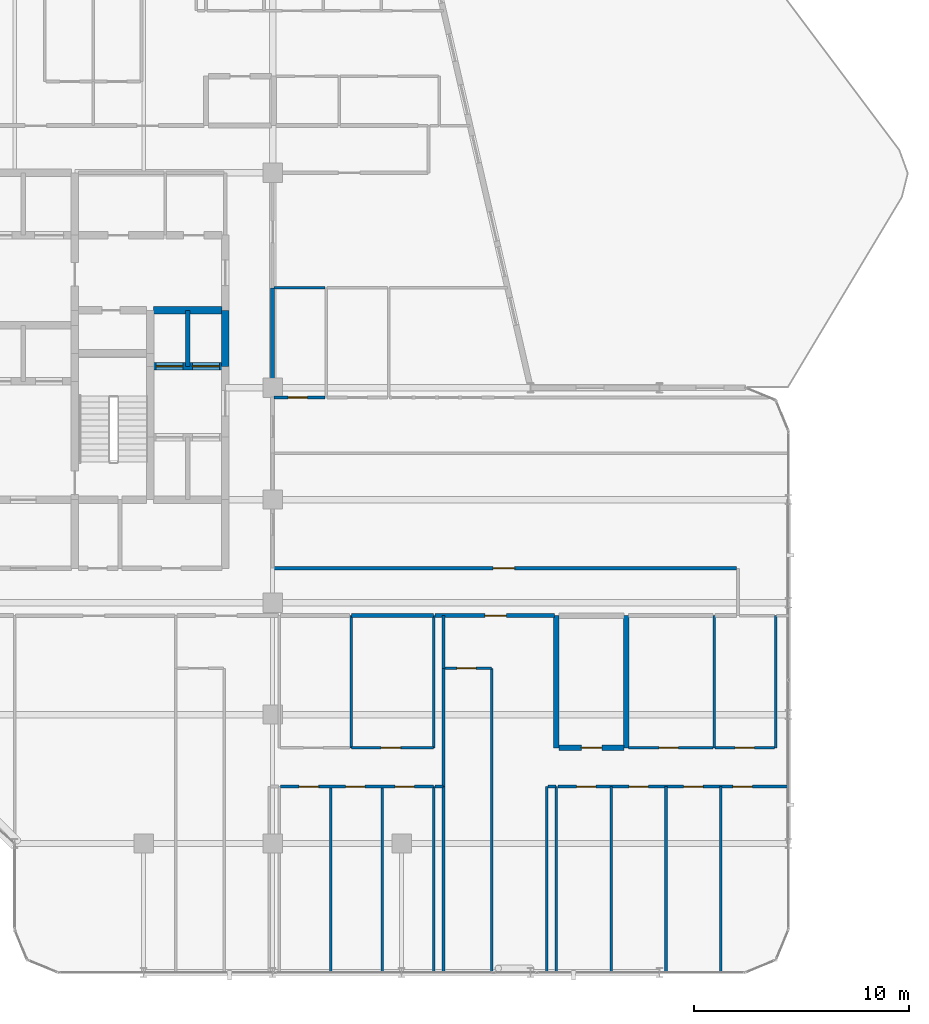
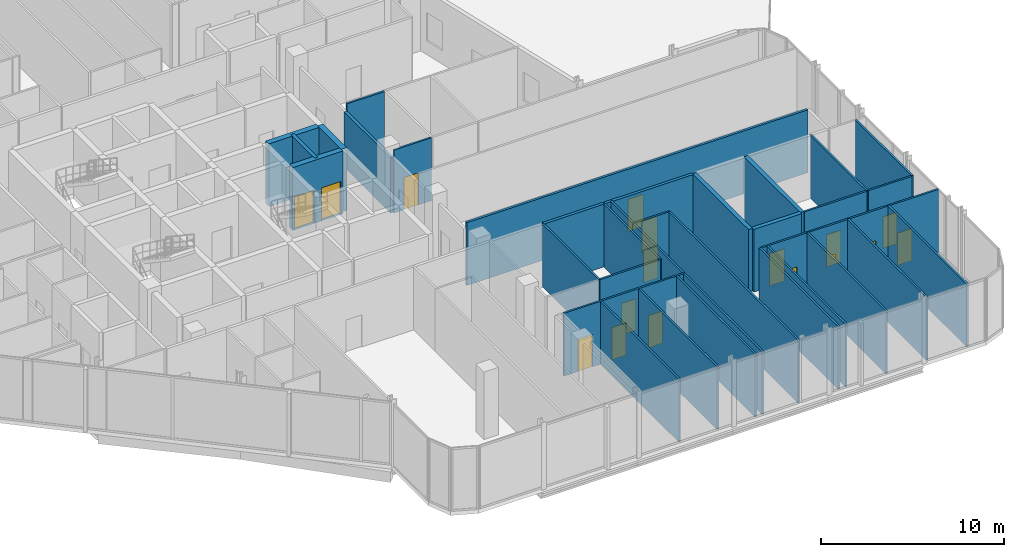
# One storey, part 23 of 28: 37 walls, 17 doors, 17 openings.
"""IFC4 building model written with IfcOpenShell, lengths in metres."""

import ifcopenshell
import ifcopenshell.guid

model = None  # the IFC model being written
_history = None  # IfcOwnerHistory: only IFC2X3 demands one
_inside = {}  # id of a spatial element -> (the spatial element, [elements in it])
_under = {}  # id of a project, library or spatial element -> (it, [spatial elements below it])
_declared = {}  # id of a project -> (the project, [libraries it declares])
_typed = {}  # id of a type object -> (the type object, [elements of that type])
_made_of = {}  # id of a material, layer set ... -> (it, [elements and type objects made of it])


def new_model(schema):
    """Start an empty IFC model of exactly this schema.

    Asked for "IFC4X3", IfcOpenShell would pick the latest addendum, in which some entities
    have other attributes; the version numbers below select the first issue.
    IFC2X3 requires an IfcOwnerHistory on every rooted entity: one is made here for all.
    """
    global model, _history
    if schema == "IFC4X3":
        model = ifcopenshell.file(schema_version=(4, 3, 0, 0))
    else:
        model = ifcopenshell.file(schema=schema)
    _inside.clear()
    _under.clear()
    _declared.clear()
    _typed.clear()
    _made_of.clear()
    _history = None
    if model.schema == "IFC2X3":
        org = make("IfcOrganization", Name="unknown")
        user = make(
            "IfcPersonAndOrganization",
            ThePerson=make("IfcPerson", FamilyName="unknown"),
            TheOrganization=org,
        )
        app = make(
            "IfcApplication",
            ApplicationDeveloper=org,
            Version="unknown",
            ApplicationFullName="unknown",
            ApplicationIdentifier="unknown",
        )
        _history = make(
            "IfcOwnerHistory",
            OwningUser=user,
            OwningApplication=app,
            ChangeAction="ADDED",
            CreationDate=0,
        )
    return model


def make(cls, **values):
    """One entity of the class cls with the attributes given. An attribute that is None is left unset."""
    return model.create_entity(
        cls, **{name: value for name, value in values.items() if value is not None}
    )


def rooted(cls, **values):
    """An entity with a GlobalId (a new one), such as an element, a storey or a relation."""
    return make(cls, GlobalId=ifcopenshell.guid.new(), OwnerHistory=_history, **values)


def si_unit(unit_type, name, prefix=None):
    """IfcSIUnit, for example si_unit("LENGTHUNIT", "METRE", prefix="MILLI")."""
    return make("IfcSIUnit", UnitType=unit_type, Prefix=prefix, Name=name)


def assignment(units):
    """IfcUnitAssignment: the units of a project."""
    return None if units is None else make("IfcUnitAssignment", Units=units)


def point(xyz):
    """IfcCartesianPoint."""
    return None if xyz is None else make("IfcCartesianPoint", Coordinates=xyz)


def direction(xyz):
    """IfcDirection."""
    return None if xyz is None else make("IfcDirection", DirectionRatios=xyz)


def frame(location, z_axis=None, x_axis=None):
    """IfcAxis2Placement3D, a coordinate frame: its origin and axes. An axis left out is left unset."""
    return make(
        "IfcAxis2Placement3D",
        Location=point(location),
        Axis=direction(z_axis),
        RefDirection=direction(x_axis),
    )


def frame_2d(location, x_axis=None):
    """IfcAxis2Placement2D, a coordinate frame in the plane: its origin and x axis."""
    return make(
        "IfcAxis2Placement2D", Location=point(location), RefDirection=direction(x_axis)
    )


def origin():
    """The frame at (0, 0, 0) with its axes left unset."""
    return frame((0.0, 0.0, 0.0))


def place(relative_to, where):
    """IfcLocalPlacement: puts the frame where relative to a parent placement (None: the world)."""
    return make(
        "IfcLocalPlacement", PlacementRelTo=relative_to, RelativePlacement=where
    )


def context(
    kind, dimensions, precision=None, world=None, true_north=None, identifier=None
):
    """IfcGeometricRepresentationContext, for example the 3D "Model" context."""
    return make(
        "IfcGeometricRepresentationContext",
        ContextIdentifier=identifier,
        ContextType=kind,
        CoordinateSpaceDimension=dimensions,
        Precision=precision,
        WorldCoordinateSystem=world,
        TrueNorth=true_north,
    )


def subcontext(parent, identifier, kind, view, scale=None):
    """IfcGeometricRepresentationSubContext, for example "Body" below "Model"."""
    return make(
        "IfcGeometricRepresentationSubContext",
        ContextIdentifier=identifier,
        ContextType=kind,
        ParentContext=parent,
        TargetScale=scale,
        TargetView=view,
    )


def project(units=None, contexts=None):
    """IfcProject with its units and contexts."""
    return rooted(
        "IfcProject",
        Name="project",
        RepresentationContexts=contexts,
        UnitsInContext=assignment(units),
    )


def spatial(cls, under=None, at=None, **own):
    """A site, building, storey or space (cls), placed at a placement, below another one or the project."""
    s = rooted(cls, ObjectPlacement=at, **own)
    if under is not None:
        _under.setdefault(under.id(), (under, []))[1].append(s)
    return s


def profile(cls, at=None, kind="AREA", **sizes):
    """A parametric profile (cls). Its sizes go by their IFC names, for example OverallWidth=200.0."""
    return make(cls, ProfileType=kind, Position=at, **sizes)


def rectangle(**sizes):
    """IfcRectangleProfileDef."""
    return profile("IfcRectangleProfileDef", **sizes)


def extrude(swept, where, along, depth):
    """IfcExtrudedAreaSolid: the profile swept, set in the frame where, extruded along a direction by depth."""
    return make(
        "IfcExtrudedAreaSolid",
        SweptArea=swept,
        Position=where,
        ExtrudedDirection=direction(along),
        Depth=depth,
    )


def shape(context_of_items, identifier, shape_type, items):
    """IfcShapeRepresentation: the items that make up one representation, for example the "Body"."""
    return make(
        "IfcShapeRepresentation",
        ContextOfItems=context_of_items,
        RepresentationIdentifier=identifier,
        RepresentationType=shape_type,
        Items=items,
    )


def material(Name=None, Category=None):
    """IfcMaterial."""
    return make("IfcMaterial", Name=Name, Category=Category)


def layer(
    of_material, thickness, ventilated=None, Name=None, Category=None, Priority=None
):
    """IfcMaterialLayer: one layer of a wall or slab, of a material (None: an air gap)."""
    return make(
        "IfcMaterialLayer",
        Material=of_material,
        LayerThickness=thickness,
        IsVentilated=ventilated,
        Name=Name,
        Category=Category,
        Priority=Priority,
    )


def layer_set(layers, Name=None):
    """IfcMaterialLayerSet."""
    return make("IfcMaterialLayerSet", MaterialLayers=layers, LayerSetName=Name)


def made_of(thing, what):
    """Note that an element or type object is made of a material, layer set ...; save() writes the relation."""
    if what is not None:
        _made_of.setdefault(what.id(), (what, []))[1].append(thing)
    return thing


def type_object(cls, material=None, **own):
    """A type object (cls), such as IfcWallType, which elements share."""
    return made_of(rooted(cls, **own), material)


def element(
    cls,
    number,
    at=None,
    inside=None,
    cuts=None,
    type_object=None,
    material=None,
    context=None,
    identifier="Body",
    shape_type=None,
    held_by="IfcProductDefinitionShape",
    body=None,
    shapes=None,
    **own,
):
    """One element of the class cls, such as IfcWall. Its Tag is "e" and its number.

    at: its placement. inside: the storey or other place that contains it. cuts: it is an
    opening in that element (IfcRelVoidsElement). A single representation is given by context,
    identifier, shape_type and body (its items); several are given by shapes. held_by: the class
    of the entity that holds the representations. save() writes the other relations.
    """
    e = rooted(cls, Tag="e%d" % number, ObjectPlacement=at, **own)
    if body is not None:
        shapes = [shape(context, identifier, shape_type, body)]
    if shapes is not None:
        e.Representation = make(held_by, Representations=shapes)
    if inside is not None:
        _inside.setdefault(inside.id(), (inside, []))[1].append(e)
    if cuts is not None:
        rooted(
            "IfcRelVoidsElement", RelatingBuildingElement=cuts, RelatedOpeningElement=e
        )
    if type_object is not None:
        _typed.setdefault(type_object.id(), (type_object, []))[1].append(e)
    return made_of(e, material)


def fill(opening, filler):
    """IfcRelFillsElement: the door or window that sits in an opening."""
    return rooted(
        "IfcRelFillsElement",
        RelatingOpeningElement=opening,
        RelatedBuildingElement=filler,
    )


def aggregate(whole, parts):
    """IfcRelAggregates: a whole, such as a stair, and the parts it consists of."""
    return rooted("IfcRelAggregates", RelatingObject=whole, RelatedObjects=parts)


def save(model, path):
    """Write the relations noted so far, then the file.

    IfcRelAggregates (storeys below a building ...), IfcRelContainedInSpatialStructure (elements
    in a storey), IfcRelDefinesByType, IfcRelAssociatesMaterial and IfcRelDeclares: one each for
    every whole, place, type object, material and project.
    """
    for whole, parts in _under.values():
        aggregate(whole, parts)
    for where, things in _inside.values():
        rooted(
            "IfcRelContainedInSpatialStructure",
            RelatedElements=things,
            RelatingStructure=where,
        )
    for kind, things in _typed.values():
        rooted("IfcRelDefinesByType", RelatedObjects=things, RelatingType=kind)
    for what, things in _made_of.values():
        rooted("IfcRelAssociatesMaterial", RelatedObjects=things, RelatingMaterial=what)
    for by, libraries in _declared.values():
        rooted("IfcRelDeclares", RelatingContext=by, RelatedDefinitions=libraries)
    model.write(path)


model = new_model("IFC4")

# Units and contexts
model_context = context("Model", 3, precision=1e-05, world=origin(), true_north=direction((0.0, 1.0)))
body_context = subcontext(model_context, "Body", "Model", "MODEL_VIEW")
ifc_project = project(units=[si_unit("LENGTHUNIT", "METRE"), si_unit("AREAUNIT", "SQUARE_METRE"), si_unit("VOLUMEUNIT", "CUBIC_METRE"), si_unit("PLANEANGLEUNIT", "RADIAN"), si_unit("MASSUNIT", "GRAM", prefix="KILO")], contexts=[model_context])

# Site, building, storey
site_placement = place(None, origin())
site = spatial("IfcSite", under=ifc_project, at=site_placement, CompositionType="ELEMENT")
building_placement = place(site_placement, origin())
building = spatial("IfcBuilding", under=site, at=building_placement, Name="Keshet Zoharim Tower", CompositionType="ELEMENT")
storey_placement = place(building_placement, frame((0.0, 0.0, 164.60009765625)))
storey = spatial("IfcBuildingStorey", under=building, at=storey_placement, Name="L40", CompositionType="ELEMENT", Elevation=164.60009765625)

# Wall, opening, door
ifc_material_1 = material(Name="Gypsum Plasterboard", Category="gypsum")
ifc_layer_1 = layer(ifc_material_1, 0.14990234375)
ifc_layer_set_1 = layer_set([ifc_layer_1], Name="Gypsum Plasterboard")
wall_type_1 = type_object("IfcWallType", Name="WL-CLIN-150", PredefinedType="STANDARD", material=ifc_layer_set_1)
wall_1_placement = place(storey_placement, frame((33.070068359375, 19.5, 0.0), z_axis=(0.0, 0.0, 1.0), x_axis=(1.0, 0.0, 0.0)))
wall_1 = element("IfcWall", 1, at=wall_1_placement, inside=storey, type_object=wall_type_1, Name="L40 Interior Wall 134", PredefinedType="STANDARD", context=body_context, shape_type="SweptSolid", body=[
    extrude(rectangle(XDim=21.510009765625, YDim=0.14990234375, at=frame_2d((10.7548828125, 0.0))), origin(), (0.0, 0.0, 1.0), 4.18994140625),
])
opening_1_placement = place(wall_1_placement, frame((10.18505859375, 0.0, 0.0)))
opening_1 = element("IfcOpeningElement", 2, at=opening_1_placement, cuts=wall_1, Name="Opening D-F310", PredefinedType="OPENING", context=body_context, shape_type="SweptSolid", body=[
    extrude(rectangle(XDim=1.0, YDim=2.14990234375, at=frame_2d((0.5, 1.074951171875))), frame((0.0, 0.0849609375, 0.0), z_axis=(0.0, -1.0, 0.0), x_axis=(1.0, 0.0, 0.0)), (0.0, 0.0, 1.0), 0.169921875),
])
ifc_material_2 = material(Name="Hardwood Timber", Category="wood")
door_type_1 = type_object("IfcDoorType", Name="DR-FD30-100", OperationType="NOTDEFINED", PredefinedType="DOOR", material=ifc_material_2)
door_1_placement = place(opening_1_placement, origin())
door_1 = element("IfcDoor", 3, at=door_1_placement, inside=storey, type_object=door_type_1, Name="L40 South East Residents Services Suite Door 1", OperationType="SINGLE_SWING_RIGHT", OverallHeight=2.14990234375, OverallWidth=1.0, PredefinedType="DOOR", context=body_context, shape_type="SweptSolid", body=[
    extrude(rectangle(XDim=1.0, YDim=2.14990234375, at=frame_2d((0.5, 1.074951171875))), frame((0.0, 0.02490234375, 0.0), z_axis=(0.0, -1.0, 0.0), x_axis=(1.0, 0.0, 0.0)), (0.0, 0.0, 1.0), 0.050048828125),
])
fill(opening_1, door_1)

# Wall
ifc_material_3 = material(Name="Concrete C60/75", Category="concrete")
ifc_layer_2 = layer(ifc_material_3, 0.35009765625)
ifc_layer_set_2 = layer_set([ifc_layer_2], Name="Concrete C60/75")
wall_type_2 = type_object("IfcWallType", Name="WL-CORE-350", PredefinedType="SHEAR", material=ifc_layer_set_2)
wall_2_placement = place(storey_placement, frame((30.800048828125, 28.89990234375, 0.0), z_axis=(0.0, 0.0, 1.0), x_axis=(0.0, 1.0, 0.0)))
element("IfcWall", 4, at=wall_2_placement, inside=storey, type_object=wall_type_2, Name="L40 Core Shear Wall 064", PredefinedType="SHEAR", context=body_context, shape_type="SweptSolid", body=[
    extrude(rectangle(XDim=2.60009765625, YDim=0.35009765625, at=frame_2d((1.300048828125, 0.0))), origin(), (0.0, 0.0, 1.0), 4.18994140625),
])

# Wall, openings, doors
wall_3_placement = place(storey_placement, frame((27.4599609375, 28.89990234375, 0.0), z_axis=(0.0, 0.0, 1.0), x_axis=(1.0, 0.0, 0.0)))
wall_3 = element("IfcWall", 5, at=wall_3_placement, inside=storey, type_object=wall_type_2, Name="L40 Core Shear Wall 157", PredefinedType="SHEAR", context=body_context, shape_type="SweptSolid", body=[
    extrude(rectangle(XDim=3.179931640625, YDim=0.35009765625, at=frame_2d((1.58984375, 0.0))), origin(), (0.0, 0.0, 1.0), 4.18994140625),
])
opening_2_placement = place(wall_3_placement, frame((0.1201171875, 0.0, 0.0)))
opening_2 = element("IfcOpeningElement", 6, at=opening_2_placement, cuts=wall_3, Name="Opening LD-01", PredefinedType="OPENING", context=body_context, shape_type="SweptSolid", body=[
    extrude(rectangle(XDim=1.25, YDim=2.199951171875, at=frame_2d((0.625, 1.10009765625))), frame((0.0, 0.18505859375, 0.0), z_axis=(0.0, -1.0, 0.0), x_axis=(1.0, 0.0, 0.0)), (0.0, 0.0, 1.0), 0.3701171875),
])
opening_3_placement = place(wall_3_placement, frame((1.81005859375, 0.0, 0.0)))
opening_3 = element("IfcOpeningElement", 7, at=opening_3_placement, cuts=wall_3, Name="Opening LD-01", PredefinedType="OPENING", context=body_context, shape_type="SweptSolid", body=[
    extrude(rectangle(XDim=1.25, YDim=2.199951171875, at=frame_2d((0.625, 1.10009765625))), frame((0.0, 0.18505859375, 0.0), z_axis=(0.0, -1.0, 0.0), x_axis=(1.0, 0.0, 0.0)), (0.0, 0.0, 1.0), 0.3701171875),
])
ifc_material_4 = material(Name="Steel S355", Category="steel")
door_type_2 = type_object("IfcDoorType", Name="DR-LD01-125", OperationType="DOUBLE_DOOR_SLIDING", PredefinedType="DOOR", material=ifc_material_4)
door_2_placement = place(opening_2_placement, origin())
door_2 = element("IfcDoor", 8, at=door_2_placement, inside=storey, type_object=door_type_2, Name="L40 Passenger Lift Landing Door LF-05", OperationType="DOUBLE_DOOR_SLIDING", OverallHeight=2.199951171875, OverallWidth=1.25, PredefinedType="DOOR", context=body_context, shape_type="SweptSolid", body=[
    extrude(rectangle(XDim=1.25, YDim=2.199951171875, at=frame_2d((0.625, 1.10009765625))), frame((0.0, 0.02490234375, 0.0), z_axis=(0.0, -1.0, 0.0), x_axis=(1.0, 0.0, 0.0)), (0.0, 0.0, 1.0), 0.050048828125),
])
fill(opening_2, door_2)
door_3_placement = place(opening_3_placement, origin())
door_3 = element("IfcDoor", 9, at=door_3_placement, inside=storey, type_object=door_type_2, Name="L40 Passenger Lift Landing Door LF-06", OperationType="DOUBLE_DOOR_SLIDING", OverallHeight=2.199951171875, OverallWidth=1.25, PredefinedType="DOOR", context=body_context, shape_type="SweptSolid", body=[
    extrude(rectangle(XDim=1.25, YDim=2.199951171875, at=frame_2d((0.625, 1.10009765625))), frame((0.0, 0.02490234375, 0.0), z_axis=(0.0, -1.0, 0.0), x_axis=(1.0, 0.0, 0.0)), (0.0, 0.0, 1.0), 0.050048828125),
])
fill(opening_3, door_3)

# Walls
wall_4_placement = place(storey_placement, frame((27.4599609375, 31.5, 0.0), z_axis=(0.0, 0.0, 1.0), x_axis=(1.0, 0.0, 0.0)))
element("IfcWall", 10, at=wall_4_placement, inside=storey, type_object=wall_type_2, Name="L40 Core Shear Wall 165", PredefinedType="SHEAR", context=body_context, shape_type="SweptSolid", body=[
    extrude(rectangle(XDim=3.179931640625, YDim=0.35009765625, at=frame_2d((1.58984375, 0.0))), origin(), (0.0, 0.0, 1.0), 4.18994140625),
])
ifc_layer_3 = layer(ifc_material_1, 0.179931640625)
ifc_layer_set_3 = layer_set([ifc_layer_3], Name="Gypsum Plasterboard")
wall_type_3 = type_object("IfcWallType", Name="WL-CORR-180", PredefinedType="STANDARD", material=ifc_layer_set_3)
wall_5_placement = place(storey_placement, frame((33.0, 27.469970703125, 0.0), z_axis=(0.0, 0.0, 1.0), x_axis=(0.0, 1.0, 0.0)))
element("IfcWall", 11, at=wall_5_placement, inside=storey, type_object=wall_type_3, Name="L40 Interior Wall 071", PredefinedType="STANDARD", context=body_context, shape_type="SweptSolid", body=[
    extrude(rectangle(XDim=5.070068359375, YDim=0.179931640625, at=frame_2d((2.53515625, 0.0))), origin(), (0.0, 0.0, 1.0), 3.68994140625),
])
wall_6_placement = place(storey_placement, frame((36.672119140625, 17.300048828125, 0.0), z_axis=(0.0, 0.0, 1.0), x_axis=(1.0, 0.0, 0.0)))
element("IfcWall", 12, at=wall_6_placement, inside=storey, type_object=wall_type_3, Name="L40 Interior Wall 123", PredefinedType="STANDARD", context=body_context, shape_type="SweptSolid", body=[
    extrude(rectangle(XDim=3.802978515625, YDim=0.179931640625, at=frame_2d((1.9013671875, 0.0))), origin(), (0.0, 0.0, 1.0), 4.18994140625),
])

# Wall, opening, door
wall_7_placement = place(storey_placement, frame((40.56494140625, 17.300048828125, 0.0), z_axis=(0.0, 0.0, 1.0), x_axis=(1.0, 0.0, 0.0)))
wall_7 = element("IfcWall", 13, at=wall_7_placement, inside=storey, type_object=wall_type_3, Name="L40 Interior Wall 124", PredefinedType="STANDARD", context=body_context, shape_type="SweptSolid", body=[
    extrude(rectangle(XDim=5.545166015625, YDim=0.179931640625, at=frame_2d((2.7724609375, 0.0))), origin(), (0.0, 0.0, 1.0), 4.18994140625),
])
opening_4_placement = place(wall_7_placement, frame((2.304931640625, 0.0, 0.0)))
opening_4 = element("IfcOpeningElement", 14, at=opening_4_placement, cuts=wall_7, Name="Opening D-F310", PredefinedType="OPENING", context=body_context, shape_type="SweptSolid", body=[
    extrude(rectangle(XDim=1.0, YDim=2.14990234375, at=frame_2d((0.5, 1.074951171875))), frame((0.0, 0.10009765625, 0.0), z_axis=(0.0, -1.0, 0.0), x_axis=(1.0, 0.0, 0.0)), (0.0, 0.0, 1.0), 0.199951171875),
])
door_4_placement = place(opening_4_placement, origin())
door_4 = element("IfcDoor", 15, at=door_4_placement, inside=storey, type_object=door_type_1, Name="Apartment 4003 Entrance Door", OperationType="SINGLE_SWING_LEFT", OverallHeight=2.14990234375, OverallWidth=1.0, PredefinedType="DOOR", context=body_context, shape_type="SweptSolid", body=[
    extrude(rectangle(XDim=1.0, YDim=2.14990234375, at=frame_2d((0.5, 1.074951171875))), frame((0.0, 0.02490234375, 0.0), z_axis=(0.0, -1.0, 0.0), x_axis=(1.0, 0.0, 0.0)), (0.0, 0.0, 1.0), 0.050048828125),
])
fill(opening_4, door_4)

# Walls
ifc_material_5 = material(Name="Concrete C50/60", Category="concrete")
ifc_layer_4 = layer(ifc_material_5, 0.199951171875)
ifc_layer_set_4 = layer_set([ifc_layer_4], Name="Concrete C50/60")
wall_type_4 = type_object("IfcWallType", Name="WL-FIRE-200", PredefinedType="STANDARD", material=ifc_layer_set_4)
wall_8_placement = place(storey_placement, frame((29.050048828125, 28.89990234375, 0.0), z_axis=(0.0, 0.0, 1.0), x_axis=(0.0, 1.0, 0.0)))
element("IfcWall", 16, at=wall_8_placement, inside=storey, type_object=wall_type_4, Name="L40 Interior Wall 056", PredefinedType="STANDARD", context=body_context, shape_type="SweptSolid", body=[
    extrude(rectangle(XDim=2.60009765625, YDim=0.199951171875, at=frame_2d((1.300048828125, 0.0))), origin(), (0.0, 0.0, 1.0), 4.18994140625),
])
ifc_layer_5 = layer(ifc_material_5, 0.25)
ifc_layer_set_5 = layer_set([ifc_layer_5], Name="Concrete C50/60")
wall_type_5 = type_object("IfcWallType", Name="WL-MAMAD-250", PredefinedType="STANDARD", material=ifc_layer_set_5)
for number, where, z_axis, x_axis, name in (
    (17, (46.199951171875, 11.14990234375, 0.0), (0.0, 0.0, 1.0), (0.0, 1.0, 0.0), "L40 Interior Wall 094"),
    (18, (49.449951171875, 11.14990234375, 0.0), (0.0, 0.0, 1.0), (0.0, 1.0, 0.0), "L40 Interior Wall 096"),
):
    element("IfcWall", number, at=place(storey_placement, frame(where, z_axis=z_axis, x_axis=x_axis)), inside=storey, type_object=wall_type_5, Name=name, PredefinedType="STANDARD", context=body_context, shape_type="SweptSolid", body=[
        extrude(rectangle(XDim=6.150146484375, YDim=0.25, at=frame_2d((3.0751953125, 0.0))), origin(), (0.0, 0.0, 1.0), 4.18994140625),
    ])

# Wall, opening, door
wall_9_placement = place(storey_placement, frame((46.330078125, 11.14990234375, 0.0), z_axis=(0.0, 0.0, 1.0), x_axis=(1.0, 0.0, 0.0)))
wall_9 = element("IfcWall", 19, at=wall_9_placement, inside=storey, type_object=wall_type_5, Name="L40 Interior Wall 109", PredefinedType="STANDARD", context=body_context, shape_type="SweptSolid", body=[
    extrude(rectangle(XDim=3.013916015625, YDim=0.25, at=frame_2d((1.5068359375, 0.0))), origin(), (0.0, 0.0, 1.0), 4.18994140625),
])
opening_5_placement = place(wall_9_placement, frame((1.031982421875, 0.0, 0.0)))
opening_5 = element("IfcOpeningElement", 20, at=opening_5_placement, cuts=wall_9, Name="Opening D-F695", PredefinedType="OPENING", context=body_context, shape_type="SweptSolid", body=[
    extrude(rectangle(XDim=0.949951171875, YDim=2.14990234375, at=frame_2d((0.47509765625, 1.074951171875))), frame((0.0, 0.135009765625, 0.0), z_axis=(0.0, -1.0, 0.0), x_axis=(1.0, 0.0, 0.0)), (0.0, 0.0, 1.0), 0.27001953125),
])
door_type_3 = type_object("IfcDoorType", Name="DR-FD60-095", OperationType="NOTDEFINED", PredefinedType="DOOR", material=ifc_material_2)
door_5_placement = place(opening_5_placement, origin())
door_5 = element("IfcDoor", 21, at=door_5_placement, inside=storey, type_object=door_type_3, Name="Apartment 4003 Study and Shelter Room Door", OperationType="SINGLE_SWING_LEFT", OverallHeight=2.14990234375, OverallWidth=0.949951171875, PredefinedType="DOOR", context=body_context, shape_type="SweptSolid", body=[
    extrude(rectangle(XDim=0.949951171875, YDim=2.14990234375, at=frame_2d((0.47509765625, 1.074951171875))), frame((0.0, 0.02490234375, 0.0), z_axis=(0.0, -1.0, 0.0), x_axis=(1.0, 0.0, 0.0)), (0.0, 0.0, 1.0), 0.050048828125),
])
fill(opening_5, door_5)

# Walls
ifc_layer_6 = layer(ifc_material_1, 0.1201171875)
ifc_layer_set_6 = layer_set([ifc_layer_6], Name="Gypsum Plasterboard")
wall_type_6 = type_object("IfcWallType", Name="WL-PART-120", PredefinedType="PARTITIONING", material=ifc_layer_set_6)
for number, where, z_axis, x_axis, name in (
    (22, (35.699951171875, 0.7099609375, 0.0), (0.0, 0.0, 1.0), (0.0, 1.0, 0.0), "L40 Interior Wall 078"),
    (23, (38.10009765625, 0.7099609375, 0.0), (0.0, 0.0, 1.0), (0.0, 1.0, 0.0), "L40 Interior Wall 082"),
    (24, (40.5, 0.7099609375, 0.0), (0.0, 0.0, 1.0), (0.0, 1.0, 0.0), "L40 Interior Wall 085"),
    (25, (40.949951171875, 0.7099609375, 0.0), (0.0, 0.0, 1.0), (0.0, 1.0, 0.0), "L40 Interior Wall 088"),
):
    element("IfcWall", number, at=place(storey_placement, frame(where, z_axis=z_axis, x_axis=x_axis)), inside=storey, type_object=wall_type_6, Name=name, PredefinedType="PARTITIONING", context=body_context, shape_type="SweptSolid", body=[
        extrude(rectangle(XDim=8.64013671875, YDim=0.1201171875, at=frame_2d((4.320068359375, 0.0))), origin(), (0.0, 0.0, 1.0), 4.18994140625),
    ])
wall_10_placement = place(storey_placement, frame((40.949951171875, 9.35009765625, 0.0), z_axis=(0.0, 0.0, 1.0), x_axis=(0.0, 1.0, 0.0)))
element("IfcWall", 26, at=wall_10_placement, inside=storey, type_object=wall_type_6, Name="L40 Interior Wall 089", PredefinedType="PARTITIONING", context=body_context, shape_type="SweptSolid", body=[
    extrude(rectangle(XDim=5.5, YDim=0.1201171875, at=frame_2d((2.75, 0.0))), origin(), (0.0, 0.0, 1.0), 4.18994140625),
])
wall_11_placement = place(storey_placement, frame((40.949951171875, 14.85009765625, 0.0), z_axis=(0.0, 0.0, 1.0), x_axis=(0.0, 1.0, 0.0)))
element("IfcWall", 27, at=wall_11_placement, inside=storey, type_object=wall_type_6, Name="L40 Interior Wall 090", PredefinedType="PARTITIONING", context=body_context, shape_type="SweptSolid", body=[
    extrude(rectangle(XDim=2.449951171875, YDim=0.1201171875, at=frame_2d((1.22509765625, 0.0))), origin(), (0.0, 0.0, 1.0), 4.18994140625),
])
wall_12_placement = place(storey_placement, frame((43.199951171875, 0.7099609375, 0.0), z_axis=(0.0, 0.0, 1.0), x_axis=(0.0, 1.0, 0.0)))
element("IfcWall", 28, at=wall_12_placement, inside=storey, type_object=wall_type_6, Name="L40 Interior Wall 091", PredefinedType="PARTITIONING", context=body_context, shape_type="SweptSolid", body=[
    extrude(rectangle(XDim=14.14013671875, YDim=0.1201171875, at=frame_2d((7.070068359375, 0.0))), origin(), (0.0, 0.0, 1.0), 4.18994140625),
])
for number, where, z_axis, x_axis, name in (
    (29, (45.75, 0.7099609375, 0.0), (0.0, 0.0, 1.0), (0.0, 1.0, 0.0), "L40 Interior Wall 092"),
    (30, (46.199951171875, 0.7099609375, 0.0), (0.0, 0.0, 1.0), (0.0, 1.0, 0.0), "L40 Interior Wall 093"),
    (31, (48.75, 0.7099609375, 0.0), (0.0, 0.0, 1.0), (0.0, 1.0, 0.0), "L40 Interior Wall 095"),
    (32, (51.300048828125, 0.7099609375, 0.0), (0.0, 0.0, 1.0), (0.0, 1.0, 0.0), "L40 Interior Wall 097"),
    (33, (53.85009765625, 0.7099609375, 0.0), (0.0, 0.0, 1.0), (0.0, 1.0, 0.0), "L40 Interior Wall 099"),
):
    element("IfcWall", number, at=place(storey_placement, frame(where, z_axis=z_axis, x_axis=x_axis)), inside=storey, type_object=wall_type_6, Name=name, PredefinedType="PARTITIONING", context=body_context, shape_type="SweptSolid", body=[
        extrude(rectangle(XDim=8.64013671875, YDim=0.1201171875, at=frame_2d((4.320068359375, 0.0))), origin(), (0.0, 0.0, 1.0), 4.18994140625),
    ])

# Wall, openings, doors
wall_13_placement = place(storey_placement, frame((33.35498046875, 9.35009765625, 0.0), z_axis=(0.0, 0.0, 1.0), x_axis=(1.0, 0.0, 0.0)))
wall_13 = element("IfcWall", 34, at=wall_13_placement, inside=storey, type_object=wall_type_6, Name="L40 Interior Wall 103", PredefinedType="PARTITIONING", context=body_context, shape_type="SweptSolid", body=[
    extrude(rectangle(XDim=7.1201171875, YDim=0.1201171875, at=frame_2d((3.56005859375, 0.0))), origin(), (0.0, 0.0, 1.0), 4.18994140625),
])
opening_6_placement = place(wall_13_placement, frame((0.882080078125, 0.0, 0.0)))
opening_6 = element("IfcOpeningElement", 35, at=opening_6_placement, cuts=wall_13, Name="Opening D-IN90", PredefinedType="OPENING", context=body_context, shape_type="SweptSolid", body=[
    extrude(rectangle(XDim=0.89990234375, YDim=2.14990234375, at=frame_2d((0.449951171875, 1.074951171875))), frame((0.0, 0.070068359375, 0.0), z_axis=(0.0, -1.0, 0.0), x_axis=(1.0, 0.0, 0.0)), (0.0, 0.0, 1.0), 0.14013671875),
])
opening_7_placement = place(wall_13_placement, frame((3.0380859375, 0.0, 0.0)))
opening_7 = element("IfcOpeningElement", 36, at=opening_7_placement, cuts=wall_13, Name="Opening D-IN90", PredefinedType="OPENING", context=body_context, shape_type="SweptSolid", body=[
    extrude(rectangle(XDim=0.89990234375, YDim=2.14990234375, at=frame_2d((0.449951171875, 1.074951171875))), frame((0.0, 0.070068359375, 0.0), z_axis=(0.0, -1.0, 0.0), x_axis=(1.0, 0.0, 0.0)), (0.0, 0.0, 1.0), 0.14013671875),
])
opening_8_placement = place(wall_13_placement, frame((5.339111328125, 0.0, 0.0)))
opening_8 = element("IfcOpeningElement", 37, at=opening_8_placement, cuts=wall_13, Name="Opening D-IN90", PredefinedType="OPENING", context=body_context, shape_type="SweptSolid", body=[
    extrude(rectangle(XDim=0.89990234375, YDim=2.14990234375, at=frame_2d((0.449951171875, 1.074951171875))), frame((0.0, 0.070068359375, 0.0), z_axis=(0.0, -1.0, 0.0), x_axis=(1.0, 0.0, 0.0)), (0.0, 0.0, 1.0), 0.14013671875),
])
door_type_4 = type_object("IfcDoorType", Name="DR-INT-090", OperationType="NOTDEFINED", PredefinedType="DOOR", material=ifc_material_2)
door_6_placement = place(opening_6_placement, origin())
door_6 = element("IfcDoor", 38, at=door_6_placement, inside=storey, type_object=door_type_4, Name="Apartment 4002 Bedroom 1 Door", OperationType="SINGLE_SWING_RIGHT", OverallHeight=2.14990234375, OverallWidth=0.89990234375, PredefinedType="DOOR", context=body_context, shape_type="SweptSolid", body=[
    extrude(rectangle(XDim=0.89990234375, YDim=2.14990234375, at=frame_2d((0.449951171875, 1.074951171875))), frame((0.0, 0.02490234375, 0.0), z_axis=(0.0, -1.0, 0.0), x_axis=(1.0, 0.0, 0.0)), (0.0, 0.0, 1.0), 0.050048828125),
])
fill(opening_6, door_6)
door_7_placement = place(opening_7_placement, origin())
door_7 = element("IfcDoor", 39, at=door_7_placement, inside=storey, type_object=door_type_4, Name="Apartment 4002 Bedroom 2 Door", OperationType="SINGLE_SWING_LEFT", OverallHeight=2.14990234375, OverallWidth=0.89990234375, PredefinedType="DOOR", context=body_context, shape_type="SweptSolid", body=[
    extrude(rectangle(XDim=0.89990234375, YDim=2.14990234375, at=frame_2d((0.449951171875, 1.074951171875))), frame((0.0, 0.02490234375, 0.0), z_axis=(0.0, -1.0, 0.0), x_axis=(1.0, 0.0, 0.0)), (0.0, 0.0, 1.0), 0.050048828125),
])
fill(opening_7, door_7)
door_8_placement = place(opening_8_placement, origin())
door_8 = element("IfcDoor", 40, at=door_8_placement, inside=storey, type_object=door_type_4, Name="Apartment 4002 Bedroom 3 Door", OperationType="SINGLE_SWING_RIGHT", OverallHeight=2.14990234375, OverallWidth=0.89990234375, PredefinedType="DOOR", context=body_context, shape_type="SweptSolid", body=[
    extrude(rectangle(XDim=0.89990234375, YDim=2.14990234375, at=frame_2d((0.449951171875, 1.074951171875))), frame((0.0, 0.02490234375, 0.0), z_axis=(0.0, -1.0, 0.0), x_axis=(1.0, 0.0, 0.0)), (0.0, 0.0, 1.0), 0.050048828125),
])
fill(opening_8, door_8)

# Walls
for number, where, z_axis, x_axis, name in (
    (41, (40.56494140625, 9.35009765625, 0.0), (0.0, 0.0, 1.0), (1.0, 0.0, 0.0), "L40 Interior Wall 104"),
    (42, (45.81494140625, 9.35009765625, 0.0), (0.0, 0.0, 1.0), (1.0, 0.0, 0.0), "L40 Interior Wall 105"),
):
    element("IfcWall", number, at=place(storey_placement, frame(where, z_axis=z_axis, x_axis=x_axis)), inside=storey, type_object=wall_type_6, Name=name, PredefinedType="PARTITIONING", context=body_context, shape_type="SweptSolid", body=[
        extrude(rectangle(XDim=0.360107421875, YDim=0.1201171875, at=frame_2d((0.18017578125, 0.0))), origin(), (0.0, 0.0, 1.0), 4.18994140625),
    ])

# Wall, openings, doors
wall_14_placement = place(storey_placement, frame((46.264892578125, 9.35009765625, 0.0), z_axis=(0.0, 0.0, 1.0), x_axis=(1.0, 0.0, 0.0)))
wall_14 = element("IfcWall", 43, at=wall_14_placement, inside=storey, type_object=wall_type_6, Name="L40 Interior Wall 106", PredefinedType="PARTITIONING", context=body_context, shape_type="SweptSolid", body=[
    extrude(rectangle(XDim=10.72509765625, YDim=0.1201171875, at=frame_2d((5.362548828125, 0.0))), origin(), (0.0, 0.0, 1.0), 4.18994140625),
])
opening_9_placement = place(wall_14_placement, frame((0.875, 0.0, 0.0)))
opening_9 = element("IfcOpeningElement", 44, at=opening_9_placement, cuts=wall_14, Name="Opening D-IN90", PredefinedType="OPENING", context=body_context, shape_type="SweptSolid", body=[
    extrude(rectangle(XDim=0.89990234375, YDim=2.14990234375, at=frame_2d((0.449951171875, 1.074951171875))), frame((0.0, 0.070068359375, 0.0), z_axis=(0.0, -1.0, 0.0), x_axis=(1.0, 0.0, 0.0)), (0.0, 0.0, 1.0), 0.14013671875),
])
opening_10_placement = place(wall_14_placement, frame((3.319091796875, 0.0, 0.0)))
opening_10 = element("IfcOpeningElement", 45, at=opening_10_placement, cuts=wall_14, Name="Opening D-IN90", PredefinedType="OPENING", context=body_context, shape_type="SweptSolid", body=[
    extrude(rectangle(XDim=0.89990234375, YDim=2.14990234375, at=frame_2d((0.449951171875, 1.074951171875))), frame((0.0, 0.070068359375, 0.0), z_axis=(0.0, -1.0, 0.0), x_axis=(1.0, 0.0, 0.0)), (0.0, 0.0, 1.0), 0.14013671875),
])
opening_11_placement = place(wall_14_placement, frame((5.861083984375, 0.0, 0.0)))
opening_11 = element("IfcOpeningElement", 46, at=opening_11_placement, cuts=wall_14, Name="Opening D-IN90", PredefinedType="OPENING", context=body_context, shape_type="SweptSolid", body=[
    extrude(rectangle(XDim=0.89990234375, YDim=2.14990234375, at=frame_2d((0.449951171875, 1.074951171875))), frame((0.0, 0.070068359375, 0.0), z_axis=(0.0, -1.0, 0.0), x_axis=(1.0, 0.0, 0.0)), (0.0, 0.0, 1.0), 0.14013671875),
])
opening_12_placement = place(wall_14_placement, frame((8.152099609375, 0.0, 0.0)))
opening_12 = element("IfcOpeningElement", 47, at=opening_12_placement, cuts=wall_14, Name="Opening D-IN90", PredefinedType="OPENING", context=body_context, shape_type="SweptSolid", body=[
    extrude(rectangle(XDim=0.89990234375, YDim=2.14990234375, at=frame_2d((0.449951171875, 1.074951171875))), frame((0.0, 0.070068359375, 0.0), z_axis=(0.0, -1.0, 0.0), x_axis=(1.0, 0.0, 0.0)), (0.0, 0.0, 1.0), 0.14013671875),
])
door_9_placement = place(opening_9_placement, origin())
door_9 = element("IfcDoor", 48, at=door_9_placement, inside=storey, type_object=door_type_4, Name="Apartment 4003 Bedroom 1 Door", OperationType="SINGLE_SWING_LEFT", OverallHeight=2.14990234375, OverallWidth=0.89990234375, PredefinedType="DOOR", context=body_context, shape_type="SweptSolid", body=[
    extrude(rectangle(XDim=0.89990234375, YDim=2.14990234375, at=frame_2d((0.449951171875, 1.074951171875))), frame((0.0, 0.02490234375, 0.0), z_axis=(0.0, -1.0, 0.0), x_axis=(1.0, 0.0, 0.0)), (0.0, 0.0, 1.0), 0.050048828125),
])
fill(opening_9, door_9)
door_10_placement = place(opening_10_placement, origin())
door_10 = element("IfcDoor", 49, at=door_10_placement, inside=storey, type_object=door_type_4, Name="Apartment 4003 Bedroom 2 Door", OperationType="SINGLE_SWING_RIGHT", OverallHeight=2.14990234375, OverallWidth=0.89990234375, PredefinedType="DOOR", context=body_context, shape_type="SweptSolid", body=[
    extrude(rectangle(XDim=0.89990234375, YDim=2.14990234375, at=frame_2d((0.449951171875, 1.074951171875))), frame((0.0, 0.02490234375, 0.0), z_axis=(0.0, -1.0, 0.0), x_axis=(1.0, 0.0, 0.0)), (0.0, 0.0, 1.0), 0.050048828125),
])
fill(opening_10, door_10)
door_11_placement = place(opening_11_placement, origin())
door_11 = element("IfcDoor", 50, at=door_11_placement, inside=storey, type_object=door_type_4, Name="Apartment 4003 Bedroom 3 Door", OperationType="SINGLE_SWING_LEFT", OverallHeight=2.14990234375, OverallWidth=0.89990234375, PredefinedType="DOOR", context=body_context, shape_type="SweptSolid", body=[
    extrude(rectangle(XDim=0.89990234375, YDim=2.14990234375, at=frame_2d((0.449951171875, 1.074951171875))), frame((0.0, 0.02490234375, 0.0), z_axis=(0.0, -1.0, 0.0), x_axis=(1.0, 0.0, 0.0)), (0.0, 0.0, 1.0), 0.050048828125),
])
fill(opening_11, door_11)
door_12_placement = place(opening_12_placement, origin())
door_12 = element("IfcDoor", 51, at=door_12_placement, inside=storey, type_object=door_type_4, Name="Apartment 4003 Bedroom 4 Door", OperationType="SINGLE_SWING_RIGHT", OverallHeight=2.14990234375, OverallWidth=0.89990234375, PredefinedType="DOOR", context=body_context, shape_type="SweptSolid", body=[
    extrude(rectangle(XDim=0.89990234375, YDim=2.14990234375, at=frame_2d((0.449951171875, 1.074951171875))), frame((0.0, 0.02490234375, 0.0), z_axis=(0.0, -1.0, 0.0), x_axis=(1.0, 0.0, 0.0)), (0.0, 0.0, 1.0), 0.050048828125),
])
fill(opening_12, door_12)

# Wall, opening, door
wall_15_placement = place(storey_placement, frame((49.56396484375, 11.14990234375, 0.0), z_axis=(0.0, 0.0, 1.0), x_axis=(1.0, 0.0, 0.0)))
wall_15 = element("IfcWall", 52, at=wall_15_placement, inside=storey, type_object=wall_type_6, Name="L40 Interior Wall 110", PredefinedType="PARTITIONING", context=body_context, shape_type="SweptSolid", body=[
    extrude(rectangle(XDim=3.93310546875, YDim=0.1201171875, at=frame_2d((1.966552734375, 0.0))), origin(), (0.0, 0.0, 1.0), 4.18994140625),
])
opening_13_placement = place(wall_15_placement, frame((1.4130859375, 0.0, 0.0)))
opening_13 = element("IfcOpeningElement", 53, at=opening_13_placement, cuts=wall_15, Name="Opening D-IN90", PredefinedType="OPENING", context=body_context, shape_type="SweptSolid", body=[
    extrude(rectangle(XDim=0.89990234375, YDim=2.14990234375, at=frame_2d((0.449951171875, 1.074951171875))), frame((0.0, 0.070068359375, 0.0), z_axis=(0.0, -1.0, 0.0), x_axis=(1.0, 0.0, 0.0)), (0.0, 0.0, 1.0), 0.14013671875),
])
door_13_placement = place(opening_13_placement, origin())
door_13 = element("IfcDoor", 54, at=door_13_placement, inside=storey, type_object=door_type_4, Name="Apartment 4003 Kitchen Door", OperationType="SINGLE_SWING_RIGHT", OverallHeight=2.14990234375, OverallWidth=0.89990234375, PredefinedType="DOOR", context=body_context, shape_type="SweptSolid", body=[
    extrude(rectangle(XDim=0.89990234375, YDim=2.14990234375, at=frame_2d((0.449951171875, 1.074951171875))), frame((0.0, 0.02490234375, 0.0), z_axis=(0.0, -1.0, 0.0), x_axis=(1.0, 0.0, 0.0)), (0.0, 0.0, 1.0), 0.050048828125),
])
fill(opening_13, door_13)

wall_16_placement = place(storey_placement, frame((41.014892578125, 14.85009765625, 0.0), z_axis=(0.0, 0.0, 1.0), x_axis=(1.0, 0.0, 0.0)))
wall_16 = element("IfcWall", 55, at=wall_16_placement, inside=storey, type_object=wall_type_6, Name="L40 Interior Wall 115", PredefinedType="PARTITIONING", context=body_context, shape_type="SweptSolid", body=[
    extrude(rectangle(XDim=2.16015625, YDim=0.1201171875, at=frame_2d((1.080078125, 0.0))), origin(), (0.0, 0.0, 1.0), 4.18994140625),
])
opening_14_placement = place(wall_16_placement, frame((0.552978515625, 0.0, 0.0)))
opening_14 = element("IfcOpeningElement", 56, at=opening_14_placement, cuts=wall_16, Name="Opening D-IN90", PredefinedType="OPENING", context=body_context, shape_type="SweptSolid", body=[
    extrude(rectangle(XDim=0.89990234375, YDim=2.14990234375, at=frame_2d((0.449951171875, 1.074951171875))), frame((0.0, 0.070068359375, 0.0), z_axis=(0.0, -1.0, 0.0), x_axis=(1.0, 0.0, 0.0)), (0.0, 0.0, 1.0), 0.14013671875),
])
door_14_placement = place(opening_14_placement, origin())
door_14 = element("IfcDoor", 57, at=door_14_placement, inside=storey, type_object=door_type_4, Name="Apartment 4003 Formal Dining Room Door", OperationType="SINGLE_SWING_LEFT", OverallHeight=2.14990234375, OverallWidth=0.89990234375, PredefinedType="DOOR", context=body_context, shape_type="SweptSolid", body=[
    extrude(rectangle(XDim=0.89990234375, YDim=2.14990234375, at=frame_2d((0.449951171875, 1.074951171875))), frame((0.0, 0.02490234375, 0.0), z_axis=(0.0, -1.0, 0.0), x_axis=(1.0, 0.0, 0.0)), (0.0, 0.0, 1.0), 0.050048828125),
])
fill(opening_14, door_14)

wall_17_placement = place(storey_placement, frame((33.074951171875, 27.449951171875, 0.0), z_axis=(0.0, 0.0, 1.0), x_axis=(1.0, 0.0, 0.0)))
wall_17 = element("IfcWall", 58, at=wall_17_placement, inside=storey, type_object=wall_type_6, Name="L40 Interior Wall 149", PredefinedType="PARTITIONING", context=body_context, shape_type="SweptSolid", body=[
    extrude(rectangle(XDim=2.364013671875, YDim=0.1201171875, at=frame_2d((1.18212890625, 0.0))), origin(), (0.0, 0.0, 1.0), 4.18994140625),
])
opening_15_placement = place(wall_17_placement, frame((0.64111328125, 0.0, 0.0)))
opening_15 = element("IfcOpeningElement", 59, at=opening_15_placement, cuts=wall_17, Name="Opening D-IN90", PredefinedType="OPENING", context=body_context, shape_type="SweptSolid", body=[
    extrude(rectangle(XDim=0.89990234375, YDim=2.14990234375, at=frame_2d((0.449951171875, 1.074951171875))), frame((0.0, 0.070068359375, 0.0), z_axis=(0.0, -1.0, 0.0), x_axis=(1.0, 0.0, 0.0)), (0.0, 0.0, 1.0), 0.14013671875),
])
door_15_placement = place(opening_15_placement, origin())
door_15 = element("IfcDoor", 60, at=door_15_placement, inside=storey, type_object=door_type_4, Name="Apartment 4008 Kitchen Door", OperationType="SINGLE_SWING_RIGHT", OverallHeight=2.14990234375, OverallWidth=0.89990234375, PredefinedType="DOOR", context=body_context, shape_type="SweptSolid", body=[
    extrude(rectangle(XDim=0.89990234375, YDim=2.14990234375, at=frame_2d((0.449951171875, 1.074951171875))), frame((0.0, 0.02490234375, 0.0), z_axis=(0.0, -1.0, 0.0), x_axis=(1.0, 0.0, 0.0)), (0.0, 0.0, 1.0), 0.050048828125),
])
fill(opening_15, door_15)

# Walls
wall_18_placement = place(storey_placement, frame((33.074951171875, 32.550048828125, 0.0), z_axis=(0.0, 0.0, 1.0), x_axis=(1.0, 0.0, 0.0)))
element("IfcWall", 61, at=wall_18_placement, inside=storey, type_object=wall_type_6, Name="L40 Interior Wall 166", PredefinedType="PARTITIONING", context=body_context, shape_type="SweptSolid", body=[
    extrude(rectangle(XDim=2.364013671875, YDim=0.1201171875, at=frame_2d((1.18212890625, 0.0))), origin(), (0.0, 0.0, 1.0), 4.18994140625),
])
ifc_layer_7 = layer(ifc_material_1, 0.1201171875)
ifc_layer_set_7 = layer_set([ifc_layer_7], Name="Gypsum Plasterboard")
wall_type_7 = type_object("IfcWallType", Name="WL-WET-120", PredefinedType="PARTITIONING", material=ifc_layer_set_7)
for number, where, z_axis, x_axis, name in (
    (62, (36.64990234375, 11.14990234375, 0.0), (0.0, 0.0, 1.0), (0.0, 1.0, 0.0), "L40 Interior Wall 080"),
    (63, (40.5, 11.14990234375, 0.0), (0.0, 0.0, 1.0), (0.0, 1.0, 0.0), "L40 Interior Wall 086"),
    (64, (53.550048828125, 11.14990234375, 0.0), (0.0, 0.0, 1.0), (0.0, 1.0, 0.0), "L40 Interior Wall 098"),
    (65, (56.39990234375, 11.14990234375, 0.0), (0.0, 0.0, 1.0), (0.0, 1.0, 0.0), "L40 Interior Wall 101"),
):
    element("IfcWall", number, at=place(storey_placement, frame(where, z_axis=z_axis, x_axis=x_axis)), inside=storey, type_object=wall_type_7, Name=name, PredefinedType="PARTITIONING", context=body_context, shape_type="SweptSolid", body=[
        extrude(rectangle(XDim=6.150146484375, YDim=0.1201171875, at=frame_2d((3.0751953125, 0.0))), origin(), (0.0, 0.0, 1.0), 4.18994140625),
    ])

# Wall, opening, door
wall_19_placement = place(storey_placement, frame((36.672119140625, 11.14990234375, 0.0), z_axis=(0.0, 0.0, 1.0), x_axis=(1.0, 0.0, 0.0)))
wall_19 = element("IfcWall", 66, at=wall_19_placement, inside=storey, type_object=wall_type_7, Name="L40 Interior Wall 108", PredefinedType="PARTITIONING", context=body_context, shape_type="SweptSolid", body=[
    extrude(rectangle(XDim=3.802978515625, YDim=0.1201171875, at=frame_2d((1.9013671875, 0.0))), origin(), (0.0, 0.0, 1.0), 4.18994140625),
])
opening_16_placement = place(wall_19_placement, frame((1.37890625, 0.0, 0.0)))
opening_16 = element("IfcOpeningElement", 67, at=opening_16_placement, cuts=wall_19, Name="Opening D-WT90", PredefinedType="OPENING", context=body_context, shape_type="SweptSolid", body=[
    extrude(rectangle(XDim=0.89990234375, YDim=2.10009765625, at=frame_2d((0.449951171875, 1.050048828125))), frame((0.0, 0.070068359375, 0.0), z_axis=(0.0, -1.0, 0.0), x_axis=(1.0, 0.0, 0.0)), (0.0, 0.0, 1.0), 0.14013671875),
])
door_type_5 = type_object("IfcDoorType", Name="DR-WET-090", OperationType="NOTDEFINED", PredefinedType="DOOR", material=ifc_material_2)
door_16_placement = place(opening_16_placement, origin())
door_16 = element("IfcDoor", 68, at=door_16_placement, inside=storey, type_object=door_type_5, Name="Apartment 4002 Bathroom Door", OperationType="SINGLE_SWING_RIGHT", OverallHeight=2.10009765625, OverallWidth=0.89990234375, PredefinedType="DOOR", context=body_context, shape_type="SweptSolid", body=[
    extrude(rectangle(XDim=0.89990234375, YDim=2.10009765625, at=frame_2d((0.449951171875, 1.050048828125))), frame((0.0, 0.02490234375, 0.0), z_axis=(0.0, -1.0, 0.0), x_axis=(1.0, 0.0, 0.0)), (0.0, 0.0, 1.0), 0.050048828125),
])
fill(opening_16, door_16)

wall_20_placement = place(storey_placement, frame((53.5869140625, 11.14990234375, 0.0), z_axis=(0.0, 0.0, 1.0), x_axis=(1.0, 0.0, 0.0)))
wall_20 = element("IfcWall", 69, at=wall_20_placement, inside=storey, type_object=wall_type_7, Name="L40 Interior Wall 111", PredefinedType="PARTITIONING", context=body_context, shape_type="SweptSolid", body=[
    extrude(rectangle(XDim=2.758056640625, YDim=0.1201171875, at=frame_2d((1.37890625, 0.0))), origin(), (0.0, 0.0, 1.0), 4.18994140625),
])
opening_17_placement = place(wall_20_placement, frame((0.928955078125, 0.0, 0.0)))
opening_17 = element("IfcOpeningElement", 70, at=opening_17_placement, cuts=wall_20, Name="Opening D-WT90", PredefinedType="OPENING", context=body_context, shape_type="SweptSolid", body=[
    extrude(rectangle(XDim=0.89990234375, YDim=2.10009765625, at=frame_2d((0.449951171875, 1.050048828125))), frame((0.0, 0.070068359375, 0.0), z_axis=(0.0, -1.0, 0.0), x_axis=(1.0, 0.0, 0.0)), (0.0, 0.0, 1.0), 0.14013671875),
])
door_17_placement = place(opening_17_placement, origin())
door_17 = element("IfcDoor", 71, at=door_17_placement, inside=storey, type_object=door_type_5, Name="Apartment 4003 Bathroom Door", OperationType="SINGLE_SWING_LEFT", OverallHeight=2.10009765625, OverallWidth=0.89990234375, PredefinedType="DOOR", context=body_context, shape_type="SweptSolid", body=[
    extrude(rectangle(XDim=0.89990234375, YDim=2.10009765625, at=frame_2d((0.449951171875, 1.050048828125))), frame((0.0, 0.02490234375, 0.0), z_axis=(0.0, -1.0, 0.0), x_axis=(1.0, 0.0, 0.0)), (0.0, 0.0, 1.0), 0.050048828125),
])
fill(opening_17, door_17)

save(model, "model.ifc")
